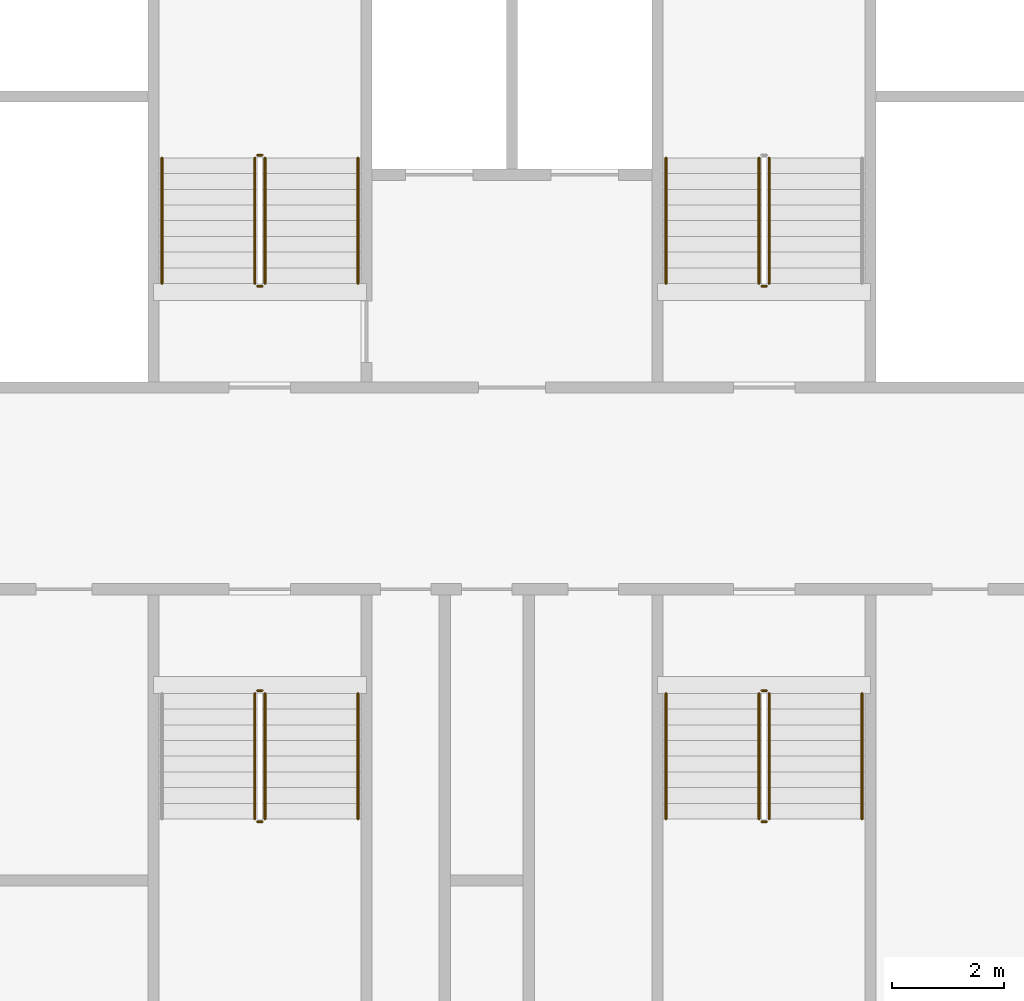
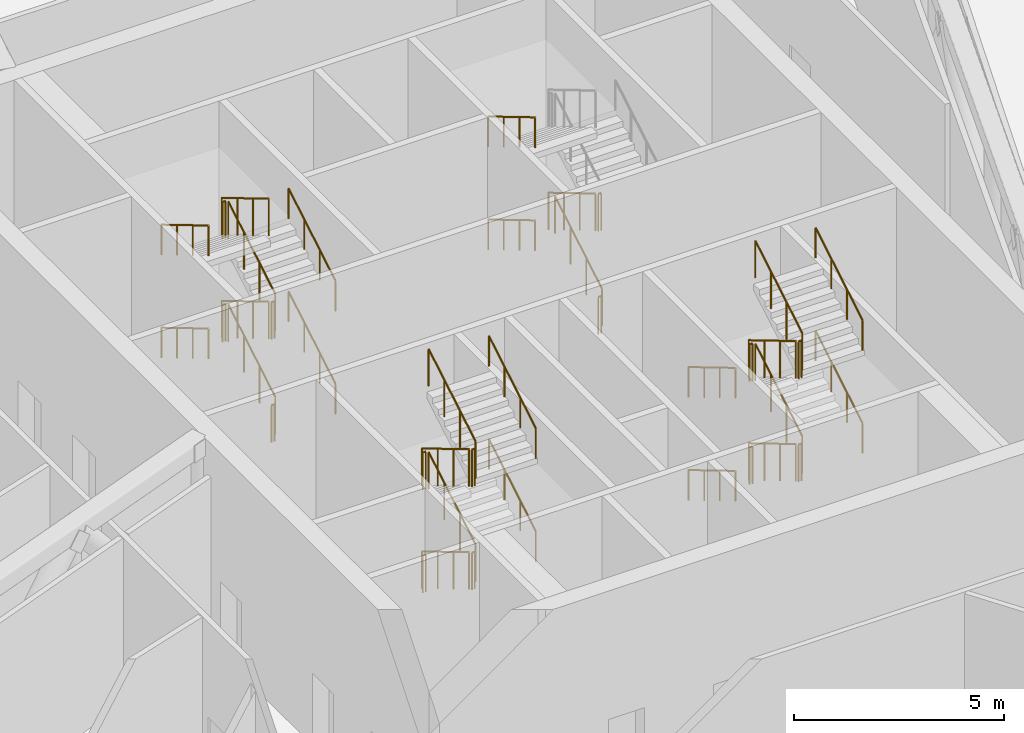
# One storey, part 35 of 40: 40 railings.
"""IFC4 building model written with IfcOpenShell, lengths in metres."""

from ifc_helpers import new_model, si_unit, direction, frame, origin, origin_2d, place, context, subcontext, project, spatial, circle, extrude, material, type_object, element, save


model = new_model("IFC4")

# Units and contexts
model_context = context("Model", 3, precision=1e-05, world=origin(), true_north=direction((0.0, 1.0)))
body_context = subcontext(model_context, "Body", "Model", "MODEL_VIEW")
ifc_project = project(units=[si_unit("LENGTHUNIT", "METRE"), si_unit("AREAUNIT", "SQUARE_METRE"), si_unit("VOLUMEUNIT", "CUBIC_METRE"), si_unit("PLANEANGLEUNIT", "RADIAN"), si_unit("MASSUNIT", "GRAM", prefix="KILO")], contexts=[model_context])

# Site, building, storey
site_placement = place(None, origin())
site = spatial("IfcSite", under=ifc_project, at=site_placement, CompositionType="ELEMENT")
building_placement = place(site_placement, origin())
building = spatial("IfcBuilding", under=site, at=building_placement, Name="Tarsis Ring Headquarters", CompositionType="ELEMENT")
storey_placement = place(building_placement, frame((0.0, 0.0, 354.800048828125)))
storey = spatial("IfcBuildingStorey", under=building, at=storey_placement, Name="L84", CompositionType="ELEMENT", Elevation=354.800048828125)

# Railings
ifc_material = material(Name="Steel S355", Category="steel")
railing_type_1 = type_object("IfcRailingType", Name="Core stair guard 1100", PredefinedType="GUARDRAIL", material=ifc_material)
railing_1_placement = place(storey_placement, frame((-4.409912109375, 3.659912109375, 0.16650390625)))
element("IfcRailing", 1, at=railing_1_placement, inside=storey, type_object=railing_type_1, Name="L84 ST1 stair guard 1", PredefinedType="GUARDRAIL", context=body_context, shape_type="SweptSolid", body=[
    extrude(circle(Radius=0.02392578125, at=origin_2d()), frame((0.0, 0.0, 1.076171875), z_axis=(0.0, 0.859264461869, 0.511531606619), x_axis=(-1.0, 0.0, 0.0)), (0.0, 0.0, 1.0), 2.60693359375),
    extrude(circle(Radius=0.02099609375, at=origin_2d()), origin(), (0.0, 0.0, 1.0), 1.052001953125),
    extrude(circle(Radius=0.02099609375, at=origin_2d()), frame((0.0, 0.74658203125, 0.444580078125)), (0.0, 0.0, 1.0), 1.052001953125),
    extrude(circle(Radius=0.02099609375, at=origin_2d()), frame((0.0, 1.493408203125, 0.888916015625)), (0.0, 0.0, 1.0), 1.052001953125),
    extrude(circle(Radius=0.02099609375, at=origin_2d()), frame((0.0, 2.239990234375, 1.33349609375)), (0.0, 0.0, 1.0), 1.052001953125),
])
railing_2_placement = place(storey_placement, frame((-4.4599609375, 5.949951171875, 1.5)))
element("IfcRailing", 2, at=railing_2_placement, inside=storey, type_object=railing_type_1, Name="L84 ST1 stair guard 2", PredefinedType="GUARDRAIL", context=body_context, shape_type="SweptSolid", body=[
    extrude(circle(Radius=0.02392578125, at=origin_2d()), frame((0.0, 0.0, 1.076171875), z_axis=(-1.0, 0.0, 0.0), x_axis=(0.0, -1.0, 0.0)), (0.0, 0.0, 1.0), 0.080078125),
    extrude(circle(Radius=0.02099609375, at=origin_2d()), origin(), (0.0, 0.0, 1.0), 1.052001953125),
    extrude(circle(Radius=0.02099609375, at=origin_2d()), frame((-0.080078125, 0.0, 0.0)), (0.0, 0.0, 1.0), 1.052001953125),
])
railing_3_placement = place(storey_placement, frame((-4.590087890625, 5.89990234375, 1.66650390625)))
element("IfcRailing", 3, at=railing_3_placement, inside=storey, type_object=railing_type_1, Name="L84 ST1 stair guard 3", PredefinedType="GUARDRAIL", context=body_context, shape_type="SweptSolid", body=[
    extrude(circle(Radius=0.02392578125, at=origin_2d()), frame((0.0, 0.0, 1.076171875), z_axis=(0.0, -0.859264461869, 0.511531606619), x_axis=(1.0, 0.0, 0.0)), (0.0, 0.0, 1.0), 2.60693359375),
    extrude(circle(Radius=0.02099609375, at=origin_2d()), origin(), (0.0, 0.0, 1.0), 1.052001953125),
    extrude(circle(Radius=0.02099609375, at=origin_2d()), frame((0.0, -0.74658203125, 0.444580078125)), (0.0, 0.0, 1.0), 1.052001953125),
    extrude(circle(Radius=0.02099609375, at=origin_2d()), frame((0.0, -1.493408203125, 0.888916015625)), (0.0, 0.0, 1.0), 1.052001953125),
    extrude(circle(Radius=0.02099609375, at=origin_2d()), frame((0.0, -2.239990234375, 1.33349609375)), (0.0, 0.0, 1.0), 1.052001953125),
])
railing_4_placement = place(storey_placement, frame((-4.4599609375, 3.610107421875, 3.0)))
element("IfcRailing", 4, at=railing_4_placement, inside=storey, type_object=railing_type_1, Name="L84 ST1 stair guard 4", PredefinedType="GUARDRAIL", context=body_context, shape_type="SweptSolid", body=[
    extrude(circle(Radius=0.02392578125, at=origin_2d()), frame((0.0, 0.0, 1.076171875), z_axis=(-1.0, 0.0, 0.0), x_axis=(0.0, -1.0, 0.0)), (0.0, 0.0, 1.0), 0.080078125),
    extrude(circle(Radius=0.02099609375, at=origin_2d()), origin(), (0.0, 0.0, 1.0), 1.052001953125),
    extrude(circle(Radius=0.02099609375, at=origin_2d()), frame((-0.080078125, 0.0, 0.0)), (0.0, 0.0, 1.0), 1.052001953125),
])
railing_5_placement = place(storey_placement, frame((-4.409912109375, 3.659912109375, 3.16650390625)))
element("IfcRailing", 5, at=railing_5_placement, inside=storey, type_object=railing_type_1, Name="L84 ST1 stair guard 5", PredefinedType="GUARDRAIL", context=body_context, shape_type="SweptSolid", body=[
    extrude(circle(Radius=0.02392578125, at=origin_2d()), frame((0.0, 0.0, 1.076171875), z_axis=(0.0, 0.859264461869, 0.511531606619), x_axis=(-1.0, 0.0, 0.0)), (0.0, 0.0, 1.0), 2.60693359375),
    extrude(circle(Radius=0.02099609375, at=origin_2d()), origin(), (0.0, 0.0, 1.0), 1.052001953125),
    extrude(circle(Radius=0.02099609375, at=origin_2d()), frame((0.0, 0.74658203125, 0.444580078125)), (0.0, 0.0, 1.0), 1.052001953125),
    extrude(circle(Radius=0.02099609375, at=origin_2d()), frame((0.0, 1.493408203125, 0.888916015625)), (0.0, 0.0, 1.0), 1.052001953125),
    extrude(circle(Radius=0.02099609375, at=origin_2d()), frame((0.0, 2.239990234375, 1.33349609375)), (0.0, 0.0, 1.0), 1.052001953125),
])
railing_6_placement = place(storey_placement, frame((-4.4599609375, 5.949951171875, 4.5)))
element("IfcRailing", 6, at=railing_6_placement, inside=storey, type_object=railing_type_1, Name="L84 ST1 stair guard 6", PredefinedType="GUARDRAIL", context=body_context, shape_type="SweptSolid", body=[
    extrude(circle(Radius=0.02392578125, at=origin_2d()), frame((0.0, 0.0, 1.076171875), z_axis=(-1.0, 0.0, 0.0), x_axis=(0.0, -1.0, 0.0)), (0.0, 0.0, 1.0), 0.080078125),
    extrude(circle(Radius=0.02099609375, at=origin_2d()), origin(), (0.0, 0.0, 1.0), 1.052001953125),
    extrude(circle(Radius=0.02099609375, at=origin_2d()), frame((-0.080078125, 0.0, 0.0)), (0.0, 0.0, 1.0), 1.052001953125),
])
railing_7_placement = place(storey_placement, frame((-4.590087890625, 5.89990234375, 4.66650390625)))
element("IfcRailing", 7, at=railing_7_placement, inside=storey, type_object=railing_type_1, Name="L84 ST1 stair guard 7", PredefinedType="GUARDRAIL", context=body_context, shape_type="SweptSolid", body=[
    extrude(circle(Radius=0.02392578125, at=origin_2d()), frame((0.0, 0.0, 1.076171875), z_axis=(0.0, -0.859264461869, 0.511531606619), x_axis=(1.0, 0.0, 0.0)), (0.0, 0.0, 1.0), 2.60693359375),
    extrude(circle(Radius=0.02099609375, at=origin_2d()), origin(), (0.0, 0.0, 1.0), 1.052001953125),
    extrude(circle(Radius=0.02099609375, at=origin_2d()), frame((0.0, -0.74658203125, 0.444580078125)), (0.0, 0.0, 1.0), 1.052001953125),
    extrude(circle(Radius=0.02099609375, at=origin_2d()), frame((0.0, -1.493408203125, 0.888916015625)), (0.0, 0.0, 1.0), 1.052001953125),
    extrude(circle(Radius=0.02099609375, at=origin_2d()), frame((0.0, -2.239990234375, 1.33349609375)), (0.0, 0.0, 1.0), 1.052001953125),
])
railing_8_placement = place(storey_placement, frame((-4.4599609375, 3.610107421875, 0.0)))
element("IfcRailing", 8, at=railing_8_placement, inside=storey, type_object=railing_type_1, Name="L84 ST1 stair guard 8", PredefinedType="GUARDRAIL", context=body_context, shape_type="SweptSolid", body=[
    extrude(circle(Radius=0.02392578125, at=origin_2d()), frame((0.0, 0.0, 1.076171875), z_axis=(-1.0, 0.0, 0.0), x_axis=(0.0, -1.0, 0.0)), (0.0, 0.0, 1.0), 0.080078125),
    extrude(circle(Radius=0.02099609375, at=origin_2d()), origin(), (0.0, 0.0, 1.0), 1.052001953125),
    extrude(circle(Radius=0.02099609375, at=origin_2d()), frame((-0.080078125, 0.0, 0.0)), (0.0, 0.0, 1.0), 1.052001953125),
])
railing_9_placement = place(storey_placement, frame((4.590087890625, 3.659912109375, 0.16650390625)))
element("IfcRailing", 9, at=railing_9_placement, inside=storey, type_object=railing_type_1, Name="L84 ST2 stair guard 1", PredefinedType="GUARDRAIL", context=body_context, shape_type="SweptSolid", body=[
    extrude(circle(Radius=0.02392578125, at=origin_2d()), frame((0.0, 0.0, 1.076171875), z_axis=(0.0, 0.859264461869, 0.511531606619), x_axis=(-1.0, 0.0, 0.0)), (0.0, 0.0, 1.0), 2.60693359375),
    extrude(circle(Radius=0.02099609375, at=origin_2d()), origin(), (0.0, 0.0, 1.0), 1.052001953125),
    extrude(circle(Radius=0.02099609375, at=origin_2d()), frame((0.0, 0.74658203125, 0.444580078125)), (0.0, 0.0, 1.0), 1.052001953125),
    extrude(circle(Radius=0.02099609375, at=origin_2d()), frame((0.0, 1.493408203125, 0.888916015625)), (0.0, 0.0, 1.0), 1.052001953125),
    extrude(circle(Radius=0.02099609375, at=origin_2d()), frame((0.0, 2.239990234375, 1.33349609375)), (0.0, 0.0, 1.0), 1.052001953125),
])
railing_10_placement = place(storey_placement, frame((4.409912109375, 5.89990234375, 1.66650390625)))
element("IfcRailing", 10, at=railing_10_placement, inside=storey, type_object=railing_type_1, Name="L84 ST2 stair guard 3", PredefinedType="GUARDRAIL", context=body_context, shape_type="SweptSolid", body=[
    extrude(circle(Radius=0.02392578125, at=origin_2d()), frame((0.0, 0.0, 1.076171875), z_axis=(0.0, -0.859264461869, 0.511531606619), x_axis=(1.0, 0.0, 0.0)), (0.0, 0.0, 1.0), 2.60693359375),
    extrude(circle(Radius=0.02099609375, at=origin_2d()), origin(), (0.0, 0.0, 1.0), 1.052001953125),
    extrude(circle(Radius=0.02099609375, at=origin_2d()), frame((0.0, -0.74658203125, 0.444580078125)), (0.0, 0.0, 1.0), 1.052001953125),
    extrude(circle(Radius=0.02099609375, at=origin_2d()), frame((0.0, -1.493408203125, 0.888916015625)), (0.0, 0.0, 1.0), 1.052001953125),
    extrude(circle(Radius=0.02099609375, at=origin_2d()), frame((0.0, -2.239990234375, 1.33349609375)), (0.0, 0.0, 1.0), 1.052001953125),
])
for number, where, name in (
    (11, (4.5400390625, 3.610107421875, 3.0), "L84 ST2 stair guard 4"),
    (12, (4.5400390625, 3.610107421875, 0.0), "L84 ST2 stair guard 8"),
):
    element("IfcRailing", number, at=place(storey_placement, frame(where)), inside=storey, type_object=railing_type_1, Name=name, PredefinedType="GUARDRAIL", context=body_context, shape_type="SweptSolid", body=[
        extrude(circle(Radius=0.02392578125, at=origin_2d()), frame((0.0, 0.0, 1.076171875), z_axis=(-1.0, 0.0, 0.0), x_axis=(0.0, -1.0, 0.0)), (0.0, 0.0, 1.0), 0.080078125),
        extrude(circle(Radius=0.02099609375, at=origin_2d()), origin(), (0.0, 0.0, 1.0), 1.052001953125),
        extrude(circle(Radius=0.02099609375, at=origin_2d()), frame((-0.080078125, 0.0, 0.0)), (0.0, 0.0, 1.0), 1.052001953125),
    ])
railing_11_placement = place(storey_placement, frame((-4.590087890625, -3.659912109375, 0.16650390625)))
element("IfcRailing", 13, at=railing_11_placement, inside=storey, type_object=railing_type_1, Name="L84 ST3 stair guard 1", PredefinedType="GUARDRAIL", context=body_context, shape_type="SweptSolid", body=[
    extrude(circle(Radius=0.02392578125, at=origin_2d()), frame((0.0, 0.0, 1.076171875), z_axis=(0.0, -0.859264461869, 0.511531606619), x_axis=(1.0, 0.0, 0.0)), (0.0, 0.0, 1.0), 2.60693359375),
    extrude(circle(Radius=0.02099609375, at=origin_2d()), origin(), (0.0, 0.0, 1.0), 1.052001953125),
    extrude(circle(Radius=0.02099609375, at=origin_2d()), frame((0.0, -0.74658203125, 0.444580078125)), (0.0, 0.0, 1.0), 1.052001953125),
    extrude(circle(Radius=0.02099609375, at=origin_2d()), frame((0.0, -1.493408203125, 0.888916015625)), (0.0, 0.0, 1.0), 1.052001953125),
    extrude(circle(Radius=0.02099609375, at=origin_2d()), frame((0.0, -2.239990234375, 1.33349609375)), (0.0, 0.0, 1.0), 1.052001953125),
])
railing_12_placement = place(storey_placement, frame((-4.5400390625, -5.949951171875, 1.5)))
element("IfcRailing", 14, at=railing_12_placement, inside=storey, type_object=railing_type_1, Name="L84 ST3 stair guard 2", PredefinedType="GUARDRAIL", context=body_context, shape_type="SweptSolid", body=[
    extrude(circle(Radius=0.02392578125, at=origin_2d()), frame((0.0, 0.0, 1.076171875), z_axis=(1.0, 0.0, 0.0), x_axis=(0.0, 1.0, 0.0)), (0.0, 0.0, 1.0), 0.080078125),
    extrude(circle(Radius=0.02099609375, at=origin_2d()), origin(), (0.0, 0.0, 1.0), 1.052001953125),
    extrude(circle(Radius=0.02099609375, at=origin_2d()), frame((0.080078125, 0.0, 0.0)), (0.0, 0.0, 1.0), 1.052001953125),
])
railing_13_placement = place(storey_placement, frame((-4.409912109375, -5.89990234375, 1.66650390625)))
element("IfcRailing", 15, at=railing_13_placement, inside=storey, type_object=railing_type_1, Name="L84 ST3 stair guard 3", PredefinedType="GUARDRAIL", context=body_context, shape_type="SweptSolid", body=[
    extrude(circle(Radius=0.02392578125, at=origin_2d()), frame((0.0, 0.0, 1.076171875), z_axis=(0.0, 0.859264461869, 0.511531606619), x_axis=(-1.0, 0.0, 0.0)), (0.0, 0.0, 1.0), 2.60693359375),
    extrude(circle(Radius=0.02099609375, at=origin_2d()), origin(), (0.0, 0.0, 1.0), 1.052001953125),
    extrude(circle(Radius=0.02099609375, at=origin_2d()), frame((0.0, 0.74658203125, 0.444580078125)), (0.0, 0.0, 1.0), 1.052001953125),
    extrude(circle(Radius=0.02099609375, at=origin_2d()), frame((0.0, 1.493408203125, 0.888916015625)), (0.0, 0.0, 1.0), 1.052001953125),
    extrude(circle(Radius=0.02099609375, at=origin_2d()), frame((0.0, 2.239990234375, 1.33349609375)), (0.0, 0.0, 1.0), 1.052001953125),
])
railing_14_placement = place(storey_placement, frame((-4.5400390625, -3.610107421875, 3.0)))
element("IfcRailing", 16, at=railing_14_placement, inside=storey, type_object=railing_type_1, Name="L84 ST3 stair guard 4", PredefinedType="GUARDRAIL", context=body_context, shape_type="SweptSolid", body=[
    extrude(circle(Radius=0.02392578125, at=origin_2d()), frame((0.0, 0.0, 1.076171875), z_axis=(1.0, 0.0, 0.0), x_axis=(0.0, 1.0, 0.0)), (0.0, 0.0, 1.0), 0.080078125),
    extrude(circle(Radius=0.02099609375, at=origin_2d()), origin(), (0.0, 0.0, 1.0), 1.052001953125),
    extrude(circle(Radius=0.02099609375, at=origin_2d()), frame((0.080078125, 0.0, 0.0)), (0.0, 0.0, 1.0), 1.052001953125),
])
railing_15_placement = place(storey_placement, frame((-4.590087890625, -3.659912109375, 3.16650390625)))
element("IfcRailing", 17, at=railing_15_placement, inside=storey, type_object=railing_type_1, Name="L84 ST3 stair guard 5", PredefinedType="GUARDRAIL", context=body_context, shape_type="SweptSolid", body=[
    extrude(circle(Radius=0.02392578125, at=origin_2d()), frame((0.0, 0.0, 1.076171875), z_axis=(0.0, -0.859264461869, 0.511531606619), x_axis=(1.0, 0.0, 0.0)), (0.0, 0.0, 1.0), 2.60693359375),
    extrude(circle(Radius=0.02099609375, at=origin_2d()), origin(), (0.0, 0.0, 1.0), 1.052001953125),
    extrude(circle(Radius=0.02099609375, at=origin_2d()), frame((0.0, -0.74658203125, 0.444580078125)), (0.0, 0.0, 1.0), 1.052001953125),
    extrude(circle(Radius=0.02099609375, at=origin_2d()), frame((0.0, -1.493408203125, 0.888916015625)), (0.0, 0.0, 1.0), 1.052001953125),
    extrude(circle(Radius=0.02099609375, at=origin_2d()), frame((0.0, -2.239990234375, 1.33349609375)), (0.0, 0.0, 1.0), 1.052001953125),
])
railing_16_placement = place(storey_placement, frame((-4.5400390625, -5.949951171875, 4.5)))
element("IfcRailing", 18, at=railing_16_placement, inside=storey, type_object=railing_type_1, Name="L84 ST3 stair guard 6", PredefinedType="GUARDRAIL", context=body_context, shape_type="SweptSolid", body=[
    extrude(circle(Radius=0.02392578125, at=origin_2d()), frame((0.0, 0.0, 1.076171875), z_axis=(1.0, 0.0, 0.0), x_axis=(0.0, 1.0, 0.0)), (0.0, 0.0, 1.0), 0.080078125),
    extrude(circle(Radius=0.02099609375, at=origin_2d()), origin(), (0.0, 0.0, 1.0), 1.052001953125),
    extrude(circle(Radius=0.02099609375, at=origin_2d()), frame((0.080078125, 0.0, 0.0)), (0.0, 0.0, 1.0), 1.052001953125),
])
railing_17_placement = place(storey_placement, frame((-4.409912109375, -5.89990234375, 4.66650390625)))
element("IfcRailing", 19, at=railing_17_placement, inside=storey, type_object=railing_type_1, Name="L84 ST3 stair guard 7", PredefinedType="GUARDRAIL", context=body_context, shape_type="SweptSolid", body=[
    extrude(circle(Radius=0.02392578125, at=origin_2d()), frame((0.0, 0.0, 1.076171875), z_axis=(0.0, 0.859264461869, 0.511531606619), x_axis=(-1.0, 0.0, 0.0)), (0.0, 0.0, 1.0), 2.60693359375),
    extrude(circle(Radius=0.02099609375, at=origin_2d()), origin(), (0.0, 0.0, 1.0), 1.052001953125),
    extrude(circle(Radius=0.02099609375, at=origin_2d()), frame((0.0, 0.74658203125, 0.444580078125)), (0.0, 0.0, 1.0), 1.052001953125),
    extrude(circle(Radius=0.02099609375, at=origin_2d()), frame((0.0, 1.493408203125, 0.888916015625)), (0.0, 0.0, 1.0), 1.052001953125),
    extrude(circle(Radius=0.02099609375, at=origin_2d()), frame((0.0, 2.239990234375, 1.33349609375)), (0.0, 0.0, 1.0), 1.052001953125),
])
railing_18_placement = place(storey_placement, frame((-4.5400390625, -3.610107421875, 0.0)))
element("IfcRailing", 20, at=railing_18_placement, inside=storey, type_object=railing_type_1, Name="L84 ST3 stair guard 8", PredefinedType="GUARDRAIL", context=body_context, shape_type="SweptSolid", body=[
    extrude(circle(Radius=0.02392578125, at=origin_2d()), frame((0.0, 0.0, 1.076171875), z_axis=(1.0, 0.0, 0.0), x_axis=(0.0, 1.0, 0.0)), (0.0, 0.0, 1.0), 0.080078125),
    extrude(circle(Radius=0.02099609375, at=origin_2d()), origin(), (0.0, 0.0, 1.0), 1.052001953125),
    extrude(circle(Radius=0.02099609375, at=origin_2d()), frame((0.080078125, 0.0, 0.0)), (0.0, 0.0, 1.0), 1.052001953125),
])
railing_19_placement = place(storey_placement, frame((4.409912109375, -3.659912109375, 0.16650390625)))
element("IfcRailing", 21, at=railing_19_placement, inside=storey, type_object=railing_type_1, Name="L84 ST4 stair guard 1", PredefinedType="GUARDRAIL", context=body_context, shape_type="SweptSolid", body=[
    extrude(circle(Radius=0.02392578125, at=origin_2d()), frame((0.0, 0.0, 1.076171875), z_axis=(0.0, -0.859264461869, 0.511531606619), x_axis=(1.0, 0.0, 0.0)), (0.0, 0.0, 1.0), 2.60693359375),
    extrude(circle(Radius=0.02099609375, at=origin_2d()), origin(), (0.0, 0.0, 1.0), 1.052001953125),
    extrude(circle(Radius=0.02099609375, at=origin_2d()), frame((0.0, -0.74658203125, 0.444580078125)), (0.0, 0.0, 1.0), 1.052001953125),
    extrude(circle(Radius=0.02099609375, at=origin_2d()), frame((0.0, -1.493408203125, 0.888916015625)), (0.0, 0.0, 1.0), 1.052001953125),
    extrude(circle(Radius=0.02099609375, at=origin_2d()), frame((0.0, -2.239990234375, 1.33349609375)), (0.0, 0.0, 1.0), 1.052001953125),
])
railing_20_placement = place(storey_placement, frame((4.4599609375, -5.949951171875, 1.5)))
element("IfcRailing", 22, at=railing_20_placement, inside=storey, type_object=railing_type_1, Name="L84 ST4 stair guard 2", PredefinedType="GUARDRAIL", context=body_context, shape_type="SweptSolid", body=[
    extrude(circle(Radius=0.02392578125, at=origin_2d()), frame((0.0, 0.0, 1.076171875), z_axis=(1.0, 0.0, 0.0), x_axis=(0.0, 1.0, 0.0)), (0.0, 0.0, 1.0), 0.080078125),
    extrude(circle(Radius=0.02099609375, at=origin_2d()), origin(), (0.0, 0.0, 1.0), 1.052001953125),
    extrude(circle(Radius=0.02099609375, at=origin_2d()), frame((0.080078125, 0.0, 0.0)), (0.0, 0.0, 1.0), 1.052001953125),
])
railing_21_placement = place(storey_placement, frame((4.590087890625, -5.89990234375, 1.66650390625)))
element("IfcRailing", 23, at=railing_21_placement, inside=storey, type_object=railing_type_1, Name="L84 ST4 stair guard 3", PredefinedType="GUARDRAIL", context=body_context, shape_type="SweptSolid", body=[
    extrude(circle(Radius=0.02392578125, at=origin_2d()), frame((0.0, 0.0, 1.076171875), z_axis=(0.0, 0.859264461869, 0.511531606619), x_axis=(-1.0, 0.0, 0.0)), (0.0, 0.0, 1.0), 2.60693359375),
    extrude(circle(Radius=0.02099609375, at=origin_2d()), origin(), (0.0, 0.0, 1.0), 1.052001953125),
    extrude(circle(Radius=0.02099609375, at=origin_2d()), frame((0.0, 0.74658203125, 0.444580078125)), (0.0, 0.0, 1.0), 1.052001953125),
    extrude(circle(Radius=0.02099609375, at=origin_2d()), frame((0.0, 1.493408203125, 0.888916015625)), (0.0, 0.0, 1.0), 1.052001953125),
    extrude(circle(Radius=0.02099609375, at=origin_2d()), frame((0.0, 2.239990234375, 1.33349609375)), (0.0, 0.0, 1.0), 1.052001953125),
])
railing_22_placement = place(storey_placement, frame((4.4599609375, -3.610107421875, 3.0)))
element("IfcRailing", 24, at=railing_22_placement, inside=storey, type_object=railing_type_1, Name="L84 ST4 stair guard 4", PredefinedType="GUARDRAIL", context=body_context, shape_type="SweptSolid", body=[
    extrude(circle(Radius=0.02392578125, at=origin_2d()), frame((0.0, 0.0, 1.076171875), z_axis=(1.0, 0.0, 0.0), x_axis=(0.0, 1.0, 0.0)), (0.0, 0.0, 1.0), 0.080078125),
    extrude(circle(Radius=0.02099609375, at=origin_2d()), origin(), (0.0, 0.0, 1.0), 1.052001953125),
    extrude(circle(Radius=0.02099609375, at=origin_2d()), frame((0.080078125, 0.0, 0.0)), (0.0, 0.0, 1.0), 1.052001953125),
])
railing_23_placement = place(storey_placement, frame((4.409912109375, -3.659912109375, 3.16650390625)))
element("IfcRailing", 25, at=railing_23_placement, inside=storey, type_object=railing_type_1, Name="L84 ST4 stair guard 5", PredefinedType="GUARDRAIL", context=body_context, shape_type="SweptSolid", body=[
    extrude(circle(Radius=0.02392578125, at=origin_2d()), frame((0.0, 0.0, 1.076171875), z_axis=(0.0, -0.859264461869, 0.511531606619), x_axis=(1.0, 0.0, 0.0)), (0.0, 0.0, 1.0), 2.60693359375),
    extrude(circle(Radius=0.02099609375, at=origin_2d()), origin(), (0.0, 0.0, 1.0), 1.052001953125),
    extrude(circle(Radius=0.02099609375, at=origin_2d()), frame((0.0, -0.74658203125, 0.444580078125)), (0.0, 0.0, 1.0), 1.052001953125),
    extrude(circle(Radius=0.02099609375, at=origin_2d()), frame((0.0, -1.493408203125, 0.888916015625)), (0.0, 0.0, 1.0), 1.052001953125),
    extrude(circle(Radius=0.02099609375, at=origin_2d()), frame((0.0, -2.239990234375, 1.33349609375)), (0.0, 0.0, 1.0), 1.052001953125),
])
railing_24_placement = place(storey_placement, frame((4.4599609375, -5.949951171875, 4.5)))
element("IfcRailing", 26, at=railing_24_placement, inside=storey, type_object=railing_type_1, Name="L84 ST4 stair guard 6", PredefinedType="GUARDRAIL", context=body_context, shape_type="SweptSolid", body=[
    extrude(circle(Radius=0.02392578125, at=origin_2d()), frame((0.0, 0.0, 1.076171875), z_axis=(1.0, 0.0, 0.0), x_axis=(0.0, 1.0, 0.0)), (0.0, 0.0, 1.0), 0.080078125),
    extrude(circle(Radius=0.02099609375, at=origin_2d()), origin(), (0.0, 0.0, 1.0), 1.052001953125),
    extrude(circle(Radius=0.02099609375, at=origin_2d()), frame((0.080078125, 0.0, 0.0)), (0.0, 0.0, 1.0), 1.052001953125),
])
railing_25_placement = place(storey_placement, frame((4.590087890625, -5.89990234375, 4.66650390625)))
element("IfcRailing", 27, at=railing_25_placement, inside=storey, type_object=railing_type_1, Name="L84 ST4 stair guard 7", PredefinedType="GUARDRAIL", context=body_context, shape_type="SweptSolid", body=[
    extrude(circle(Radius=0.02392578125, at=origin_2d()), frame((0.0, 0.0, 1.076171875), z_axis=(0.0, 0.859264461869, 0.511531606619), x_axis=(-1.0, 0.0, 0.0)), (0.0, 0.0, 1.0), 2.60693359375),
    extrude(circle(Radius=0.02099609375, at=origin_2d()), origin(), (0.0, 0.0, 1.0), 1.052001953125),
    extrude(circle(Radius=0.02099609375, at=origin_2d()), frame((0.0, 0.74658203125, 0.444580078125)), (0.0, 0.0, 1.0), 1.052001953125),
    extrude(circle(Radius=0.02099609375, at=origin_2d()), frame((0.0, 1.493408203125, 0.888916015625)), (0.0, 0.0, 1.0), 1.052001953125),
    extrude(circle(Radius=0.02099609375, at=origin_2d()), frame((0.0, 2.239990234375, 1.33349609375)), (0.0, 0.0, 1.0), 1.052001953125),
])
railing_26_placement = place(storey_placement, frame((4.4599609375, -3.610107421875, 0.0)))
element("IfcRailing", 28, at=railing_26_placement, inside=storey, type_object=railing_type_1, Name="L84 ST4 stair guard 8", PredefinedType="GUARDRAIL", context=body_context, shape_type="SweptSolid", body=[
    extrude(circle(Radius=0.02392578125, at=origin_2d()), frame((0.0, 0.0, 1.076171875), z_axis=(1.0, 0.0, 0.0), x_axis=(0.0, 1.0, 0.0)), (0.0, 0.0, 1.0), 0.080078125),
    extrude(circle(Radius=0.02099609375, at=origin_2d()), origin(), (0.0, 0.0, 1.0), 1.052001953125),
    extrude(circle(Radius=0.02099609375, at=origin_2d()), frame((0.080078125, 0.0, 0.0)), (0.0, 0.0, 1.0), 1.052001953125),
])
railing_type_2 = type_object("IfcRailingType", Name="Core stair handrail 900", PredefinedType="HANDRAIL", material=ifc_material)
railing_27_placement = place(storey_placement, frame((-2.75, 3.659912109375, 0.16650390625)))
element("IfcRailing", 29, at=railing_27_placement, inside=storey, type_object=railing_type_2, Name="L84 ST1 stair handrail 1", PredefinedType="HANDRAIL", context=body_context, shape_type="SweptSolid", body=[
    extrude(circle(Radius=0.02392578125, at=origin_2d()), frame((0.0, 0.0, 0.8759765625), z_axis=(0.0, 0.859264461869, 0.511531606619), x_axis=(-1.0, 0.0, 0.0)), (0.0, 0.0, 1.0), 2.60693359375),
    extrude(circle(Radius=0.02099609375, at=origin_2d()), origin(), (0.0, 0.0, 1.0), 0.851806640625),
    extrude(circle(Radius=0.02099609375, at=origin_2d()), frame((0.0, 0.74658203125, 0.444580078125)), (0.0, 0.0, 1.0), 0.851806640625),
    extrude(circle(Radius=0.02099609375, at=origin_2d()), frame((0.0, 1.493408203125, 0.888916015625)), (0.0, 0.0, 1.0), 0.851806640625),
    extrude(circle(Radius=0.02099609375, at=origin_2d()), frame((0.0, 2.239990234375, 1.33349609375)), (0.0, 0.0, 1.0), 0.851806640625),
])
railing_28_placement = place(storey_placement, frame((-6.25, 5.89990234375, 1.66650390625)))
element("IfcRailing", 30, at=railing_28_placement, inside=storey, type_object=railing_type_2, Name="L84 ST1 stair handrail 2", PredefinedType="HANDRAIL", context=body_context, shape_type="SweptSolid", body=[
    extrude(circle(Radius=0.02392578125, at=origin_2d()), frame((0.0, 0.0, 0.8759765625), z_axis=(0.0, -0.859264461869, 0.511531606619), x_axis=(1.0, 0.0, 0.0)), (0.0, 0.0, 1.0), 2.60693359375),
    extrude(circle(Radius=0.02099609375, at=origin_2d()), origin(), (0.0, 0.0, 1.0), 0.851806640625),
    extrude(circle(Radius=0.02099609375, at=origin_2d()), frame((0.0, -0.74658203125, 0.444580078125)), (0.0, 0.0, 1.0), 0.851806640625),
    extrude(circle(Radius=0.02099609375, at=origin_2d()), frame((0.0, -1.493408203125, 0.888916015625)), (0.0, 0.0, 1.0), 0.851806640625),
    extrude(circle(Radius=0.02099609375, at=origin_2d()), frame((0.0, -2.239990234375, 1.33349609375)), (0.0, 0.0, 1.0), 0.851806640625),
])
railing_29_placement = place(storey_placement, frame((-2.75, 3.659912109375, 3.16650390625)))
element("IfcRailing", 31, at=railing_29_placement, inside=storey, type_object=railing_type_2, Name="L84 ST1 stair handrail 3", PredefinedType="HANDRAIL", context=body_context, shape_type="SweptSolid", body=[
    extrude(circle(Radius=0.02392578125, at=origin_2d()), frame((0.0, 0.0, 0.8759765625), z_axis=(0.0, 0.859264461869, 0.511531606619), x_axis=(-1.0, 0.0, 0.0)), (0.0, 0.0, 1.0), 2.60693359375),
    extrude(circle(Radius=0.02099609375, at=origin_2d()), origin(), (0.0, 0.0, 1.0), 0.851806640625),
    extrude(circle(Radius=0.02099609375, at=origin_2d()), frame((0.0, 0.74658203125, 0.444580078125)), (0.0, 0.0, 1.0), 0.851806640625),
    extrude(circle(Radius=0.02099609375, at=origin_2d()), frame((0.0, 1.493408203125, 0.888916015625)), (0.0, 0.0, 1.0), 0.851806640625),
    extrude(circle(Radius=0.02099609375, at=origin_2d()), frame((0.0, 2.239990234375, 1.33349609375)), (0.0, 0.0, 1.0), 0.851806640625),
])
for number, where, name in (
    (32, (-6.25, 5.89990234375, 4.66650390625), "L84 ST1 stair handrail 4"),
    (33, (2.75, 5.89990234375, 1.66650390625), "L84 ST2 stair handrail 2"),
    (34, (2.75, 5.89990234375, 4.66650390625), "L84 ST2 stair handrail 4"),
):
    element("IfcRailing", number, at=place(storey_placement, frame(where)), inside=storey, type_object=railing_type_2, Name=name, PredefinedType="HANDRAIL", context=body_context, shape_type="SweptSolid", body=[
        extrude(circle(Radius=0.02392578125, at=origin_2d()), frame((0.0, 0.0, 0.8759765625), z_axis=(0.0, -0.859264461869, 0.511531606619), x_axis=(1.0, 0.0, 0.0)), (0.0, 0.0, 1.0), 2.60693359375),
        extrude(circle(Radius=0.02099609375, at=origin_2d()), origin(), (0.0, 0.0, 1.0), 0.851806640625),
        extrude(circle(Radius=0.02099609375, at=origin_2d()), frame((0.0, -0.74658203125, 0.444580078125)), (0.0, 0.0, 1.0), 0.851806640625),
        extrude(circle(Radius=0.02099609375, at=origin_2d()), frame((0.0, -1.493408203125, 0.888916015625)), (0.0, 0.0, 1.0), 0.851806640625),
        extrude(circle(Radius=0.02099609375, at=origin_2d()), frame((0.0, -2.239990234375, 1.33349609375)), (0.0, 0.0, 1.0), 0.851806640625),
    ])
for number, where, name in (
    (35, (-2.75, -5.89990234375, 1.66650390625), "L84 ST3 stair handrail 2"),
    (36, (-2.75, -5.89990234375, 4.66650390625), "L84 ST3 stair handrail 4"),
):
    element("IfcRailing", number, at=place(storey_placement, frame(where)), inside=storey, type_object=railing_type_2, Name=name, PredefinedType="HANDRAIL", context=body_context, shape_type="SweptSolid", body=[
        extrude(circle(Radius=0.02392578125, at=origin_2d()), frame((0.0, 0.0, 0.8759765625), z_axis=(0.0, 0.859264461869, 0.511531606619), x_axis=(-1.0, 0.0, 0.0)), (0.0, 0.0, 1.0), 2.60693359375),
        extrude(circle(Radius=0.02099609375, at=origin_2d()), origin(), (0.0, 0.0, 1.0), 0.851806640625),
        extrude(circle(Radius=0.02099609375, at=origin_2d()), frame((0.0, 0.74658203125, 0.444580078125)), (0.0, 0.0, 1.0), 0.851806640625),
        extrude(circle(Radius=0.02099609375, at=origin_2d()), frame((0.0, 1.493408203125, 0.888916015625)), (0.0, 0.0, 1.0), 0.851806640625),
        extrude(circle(Radius=0.02099609375, at=origin_2d()), frame((0.0, 2.239990234375, 1.33349609375)), (0.0, 0.0, 1.0), 0.851806640625),
    ])
railing_30_placement = place(storey_placement, frame((2.75, -3.659912109375, 0.16650390625)))
element("IfcRailing", 37, at=railing_30_placement, inside=storey, type_object=railing_type_2, Name="L84 ST4 stair handrail 1", PredefinedType="HANDRAIL", context=body_context, shape_type="SweptSolid", body=[
    extrude(circle(Radius=0.02392578125, at=origin_2d()), frame((0.0, 0.0, 0.8759765625), z_axis=(0.0, -0.859264461869, 0.511531606619), x_axis=(1.0, 0.0, 0.0)), (0.0, 0.0, 1.0), 2.60693359375),
    extrude(circle(Radius=0.02099609375, at=origin_2d()), origin(), (0.0, 0.0, 1.0), 0.851806640625),
    extrude(circle(Radius=0.02099609375, at=origin_2d()), frame((0.0, -0.74658203125, 0.444580078125)), (0.0, 0.0, 1.0), 0.851806640625),
    extrude(circle(Radius=0.02099609375, at=origin_2d()), frame((0.0, -1.493408203125, 0.888916015625)), (0.0, 0.0, 1.0), 0.851806640625),
    extrude(circle(Radius=0.02099609375, at=origin_2d()), frame((0.0, -2.239990234375, 1.33349609375)), (0.0, 0.0, 1.0), 0.851806640625),
])
railing_31_placement = place(storey_placement, frame((6.25, -5.89990234375, 1.66650390625)))
element("IfcRailing", 38, at=railing_31_placement, inside=storey, type_object=railing_type_2, Name="L84 ST4 stair handrail 2", PredefinedType="HANDRAIL", context=body_context, shape_type="SweptSolid", body=[
    extrude(circle(Radius=0.02392578125, at=origin_2d()), frame((0.0, 0.0, 0.8759765625), z_axis=(0.0, 0.859264461869, 0.511531606619), x_axis=(-1.0, 0.0, 0.0)), (0.0, 0.0, 1.0), 2.60693359375),
    extrude(circle(Radius=0.02099609375, at=origin_2d()), origin(), (0.0, 0.0, 1.0), 0.851806640625),
    extrude(circle(Radius=0.02099609375, at=origin_2d()), frame((0.0, 0.74658203125, 0.444580078125)), (0.0, 0.0, 1.0), 0.851806640625),
    extrude(circle(Radius=0.02099609375, at=origin_2d()), frame((0.0, 1.493408203125, 0.888916015625)), (0.0, 0.0, 1.0), 0.851806640625),
    extrude(circle(Radius=0.02099609375, at=origin_2d()), frame((0.0, 2.239990234375, 1.33349609375)), (0.0, 0.0, 1.0), 0.851806640625),
])
railing_32_placement = place(storey_placement, frame((2.75, -3.659912109375, 3.16650390625)))
element("IfcRailing", 39, at=railing_32_placement, inside=storey, type_object=railing_type_2, Name="L84 ST4 stair handrail 3", PredefinedType="HANDRAIL", context=body_context, shape_type="SweptSolid", body=[
    extrude(circle(Radius=0.02392578125, at=origin_2d()), frame((0.0, 0.0, 0.8759765625), z_axis=(0.0, -0.859264461869, 0.511531606619), x_axis=(1.0, 0.0, 0.0)), (0.0, 0.0, 1.0), 2.60693359375),
    extrude(circle(Radius=0.02099609375, at=origin_2d()), origin(), (0.0, 0.0, 1.0), 0.851806640625),
    extrude(circle(Radius=0.02099609375, at=origin_2d()), frame((0.0, -0.74658203125, 0.444580078125)), (0.0, 0.0, 1.0), 0.851806640625),
    extrude(circle(Radius=0.02099609375, at=origin_2d()), frame((0.0, -1.493408203125, 0.888916015625)), (0.0, 0.0, 1.0), 0.851806640625),
    extrude(circle(Radius=0.02099609375, at=origin_2d()), frame((0.0, -2.239990234375, 1.33349609375)), (0.0, 0.0, 1.0), 0.851806640625),
])
railing_33_placement = place(storey_placement, frame((6.25, -5.89990234375, 4.66650390625)))
element("IfcRailing", 40, at=railing_33_placement, inside=storey, type_object=railing_type_2, Name="L84 ST4 stair handrail 4", PredefinedType="HANDRAIL", context=body_context, shape_type="SweptSolid", body=[
    extrude(circle(Radius=0.02392578125, at=origin_2d()), frame((0.0, 0.0, 0.8759765625), z_axis=(0.0, 0.859264461869, 0.511531606619), x_axis=(-1.0, 0.0, 0.0)), (0.0, 0.0, 1.0), 2.60693359375),
    extrude(circle(Radius=0.02099609375, at=origin_2d()), origin(), (0.0, 0.0, 1.0), 0.851806640625),
    extrude(circle(Radius=0.02099609375, at=origin_2d()), frame((0.0, 0.74658203125, 0.444580078125)), (0.0, 0.0, 1.0), 0.851806640625),
    extrude(circle(Radius=0.02099609375, at=origin_2d()), frame((0.0, 1.493408203125, 0.888916015625)), (0.0, 0.0, 1.0), 0.851806640625),
    extrude(circle(Radius=0.02099609375, at=origin_2d()), frame((0.0, 2.239990234375, 1.33349609375)), (0.0, 0.0, 1.0), 0.851806640625),
])

save(model, "model.ifc")
